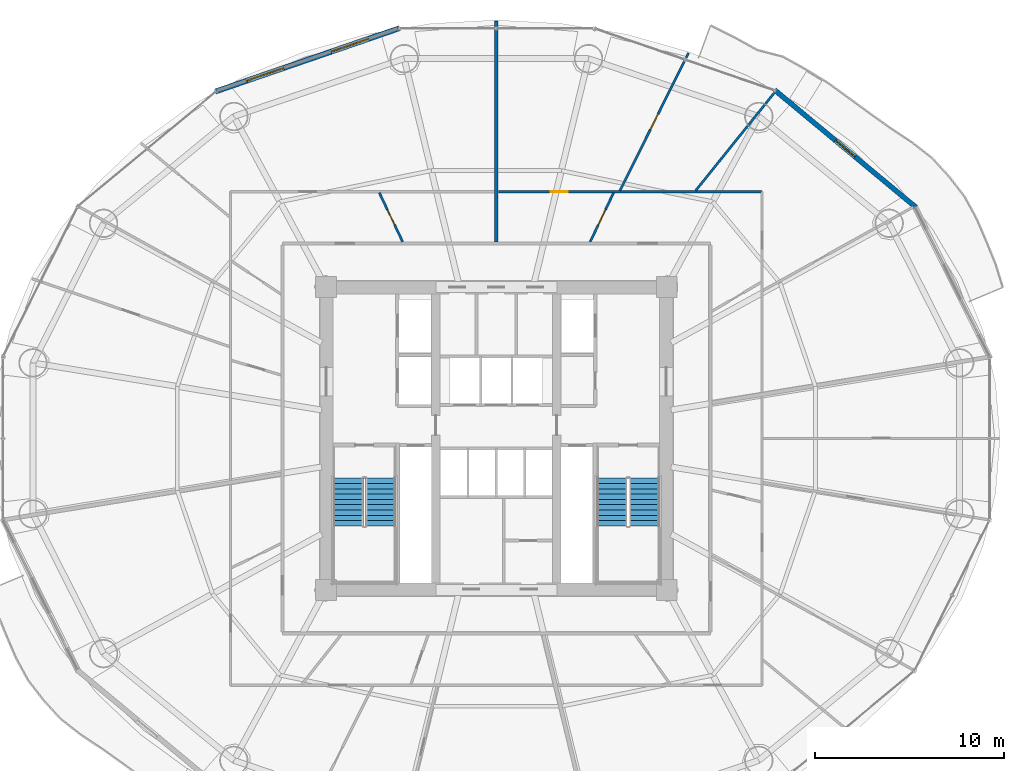
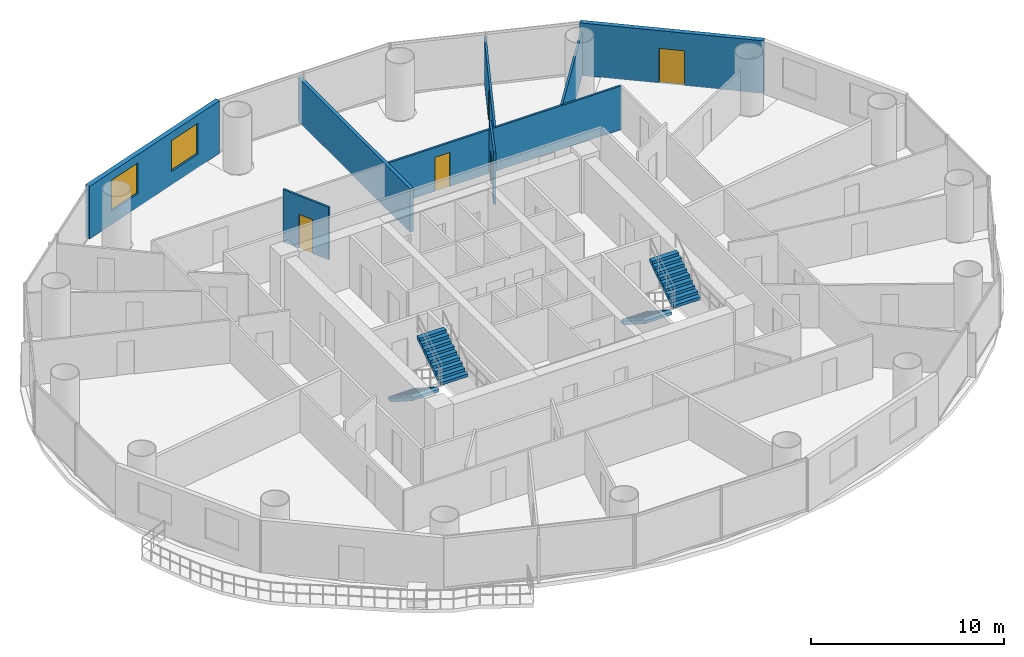
# One storey, part 25 of 29: 8 walls, 5 doors, 4 stair flights, 2 windows, 7 openings, 2 elements without a shape of their own.
"""IFC4 building model written with IfcOpenShell, lengths in metres."""

from ifc_helpers import new_model, si_unit, direction, frame, frame_2d, origin, place, context, subcontext, project, spatial, polyline, rectangle, outline, extrude, source, transform, mapped, material, layer, layer_set, type_object, element, fill, aggregate, save


model = new_model("IFC4")

# Units and contexts
model_context = context("Model", 3, precision=1e-05, world=origin(), true_north=direction((-0.2419218956, 0.970295726276)))
body_context = subcontext(model_context, "Body", "Model", "MODEL_VIEW")
ifc_project = project(units=[si_unit("LENGTHUNIT", "METRE"), si_unit("AREAUNIT", "SQUARE_METRE"), si_unit("VOLUMEUNIT", "CUBIC_METRE"), si_unit("PLANEANGLEUNIT", "RADIAN"), si_unit("MASSUNIT", "GRAM", prefix="KILO")], contexts=[model_context])

# Site, building, storey
site_placement = place(None, origin())
site = spatial("IfcSite", under=ifc_project, at=site_placement, CompositionType="ELEMENT")
building_placement = place(site_placement, origin())
building = spatial("IfcBuilding", under=site, at=building_placement, Name="Cobrevalo Terracotta Tower", CompositionType="ELEMENT")
storey_placement = place(building_placement, frame((0.0, 0.0, 79.800048828125)))
storey = spatial("IfcBuildingStorey", under=building, at=storey_placement, Name="L20", CompositionType="ELEMENT", Elevation=79.800048828125)

# Wall
ifc_material_1 = material(Name="Autoclaved aerated concrete block", Category="concrete")
ifc_layer_1 = layer(ifc_material_1, 0.199951171875)
ifc_layer_set_1 = layer_set([ifc_layer_1], Name="Autoclaved aerated concrete block")
wall_type_1 = type_object("IfcWallType", Name="Fire-rated stair, shaft & demising masonry wall 200 mm", PredefinedType="PARTITIONING", material=ifc_layer_set_1)
wall_1_placement = place(storey_placement, frame((38.0, 37.18505859375, 0.0), z_axis=(0.0, 0.0, 1.0), x_axis=(0.0, 1.0, 0.0)))
element("IfcWall", 1, at=wall_1_placement, inside=storey, type_object=wall_type_1, Name="L20 interior partition IW-L20-DEM-2", PredefinedType="PARTITIONING", context=body_context, shape_type="SweptSolid", body=[
    extrude(rectangle(XDim=11.655029296875, YDim=0.199951171875, at=frame_2d((5.82763671875, 0.0))), origin(), (0.0, 0.0, 1.0), 2.766845703125),
])

# Wall, openings, windows
ifc_layer_2 = layer(ifc_material_1, 0.280029296875)
ifc_layer_set_2 = layer_set([ifc_layer_2], Name="Autoclaved aerated concrete block")
wall_type_2 = type_object("IfcWallType", Name="Insulated tower spandrel & pier wall 280 mm with terracotta rainscreen", PredefinedType="SOLIDWALL", material=ifc_layer_set_2)
wall_2_placement = place(storey_placement, frame((32.89208984375, 48.471923828125, 0.0), z_axis=(0.0, 0.0, 1.0), x_axis=(-0.945597432299, -0.325339047809, 0.0)))
wall_2 = element("IfcWall", 2, at=wall_2_placement, inside=storey, type_object=wall_type_2, Name="L20 terracotta rainscreen pier wall S05", PredefinedType="SOLIDWALL", context=body_context, shape_type="SweptSolid", body=[
    extrude(rectangle(XDim=10.2890625, YDim=0.280029296875, at=frame_2d((5.14453125, 0.0))), origin(), (0.0, 0.0, 1.0), 3.324951171875),
])
opening_1_placement = place(wall_2_placement, frame((1.72802734375, 0.0, 0.85009765625)))
opening_1 = element("IfcOpeningElement", 3, at=opening_1_placement, cuts=wall_2, Name="Opening WN-10", PredefinedType="OPENING", context=body_context, shape_type="SweptSolid", body=[
    extrude(rectangle(XDim=2.10009765625, YDim=1.949951171875, at=frame_2d((1.050048828125, 0.97509765625))), frame((0.0, 0.14990234375, 0.0), z_axis=(0.0, -1.0, 0.0), x_axis=(1.0, 0.0, 0.0)), (0.0, 0.0, 1.0), 0.300048828125),
])
opening_2_placement = place(wall_2_placement, frame((6.4609375, 0.0, 0.85009765625)))
opening_2 = element("IfcOpeningElement", 4, at=opening_2_placement, cuts=wall_2, Name="Opening WN-10", PredefinedType="OPENING", context=body_context, shape_type="SweptSolid", body=[
    extrude(rectangle(XDim=2.10009765625, YDim=1.949951171875, at=frame_2d((1.050048828125, 0.97509765625))), frame((0.0, 0.14990234375, 0.0), z_axis=(0.0, -1.0, 0.0), x_axis=(1.0, 0.0, 0.0)), (0.0, 0.0, 1.0), 0.300048828125),
])
ifc_material_2 = material(Name="Solar-control low-E double glazing", Category="glass")
window_type = type_object("IfcWindowType", Name="Wide panoramic low-E aluminium window 2100x1950", PartitioningType="SINGLE_PANEL", PredefinedType="WINDOW", material=ifc_material_2)
shared_shape_1 = source(origin(), body_context, "Body", "SweptSolid", [
    extrude(rectangle(XDim=2.10009765625, YDim=1.949951171875, at=frame_2d((1.050048828125, 0.97509765625))), frame((0.0, 0.030029296875, 0.0), z_axis=(0.0, -1.0, 0.0), x_axis=(1.0, 0.0, 0.0)), (0.0, 0.0, 1.0), 0.06005859375),
])
window_1_placement = place(opening_1_placement, origin())
window_1 = element("IfcWindow", 5, at=window_1_placement, inside=storey, type_object=window_type, Name="L20 suite window S05A", OverallHeight=1.949951171875, OverallWidth=2.10009765625, PartitioningType="SINGLE_PANEL", PredefinedType="WINDOW", context=body_context, shape_type="MappedRepresentation", body=[
    mapped(shared_shape_1, transform((0.0, 0.0, 0.0), scale=1.0)),
])
fill(opening_1, window_1)
window_2_placement = place(opening_2_placement, origin())
window_2 = element("IfcWindow", 6, at=window_2_placement, inside=storey, type_object=window_type, Name="L20 suite window S05B", OverallHeight=1.949951171875, OverallWidth=2.10009765625, PartitioningType="SINGLE_PANEL", PredefinedType="WINDOW", context=body_context, shape_type="MappedRepresentation", body=[
    mapped(shared_shape_1, transform((0.0, 0.0, 0.0), scale=1.0)),
])
fill(opening_2, window_2)

# Wall, opening, door
ifc_layer_3 = layer(ifc_material_1, 0.260009765625)
ifc_layer_set_3 = layer_set([ifc_layer_3], Name="Autoclaved aerated concrete block")
wall_type_3 = type_object("IfcWallType", Name="Recessed balcony loggia insulated exterior wall 260 mm", PredefinedType="SOLIDWALL", material=ifc_layer_set_3)
wall_3_placement = place(storey_placement, frame((60.15380859375, 39.01025390625, 0.0), z_axis=(0.0, 0.0, 1.0), x_axis=(-0.769242574941, 0.638956853706, 0.0)))
wall_3 = element("IfcWall", 7, at=wall_3_placement, inside=storey, type_object=wall_type_3, Name="L20 balcony loggia wall S02", PredefinedType="SOLIDWALL", context=body_context, shape_type="SweptSolid", body=[
    extrude(rectangle(XDim=9.68994140625, YDim=0.260009765625, at=frame_2d((4.844970703125, 0.0))), origin(), (0.0, 0.0, 1.0), 3.324951171875),
])
opening_3_placement = place(wall_3_placement, frame((4.169921875, 0.0, 0.0)))
opening_3 = element("IfcOpeningElement", 8, at=opening_3_placement, cuts=wall_3, Name="Opening ED-05", PredefinedType="OPENING", context=body_context, shape_type="SweptSolid", body=[
    extrude(rectangle(XDim=1.35009765625, YDim=2.199951171875, at=frame_2d((0.675048828125, 1.10009765625))), frame((0.0, 0.14013671875, 0.0), z_axis=(0.0, -1.0, 0.0), x_axis=(1.0, 0.0, 0.0)), (0.0, 0.0, 1.0), 0.280029296875),
])
ifc_material_3 = material(Name="Anodized aluminium and laminated glass", Category="aluminium")
door_type_1 = type_object("IfcDoorType", Name="Suite balcony acoustic glazed terrace door 1350x2200", OperationType="NOTDEFINED", PredefinedType="DOOR", material=ifc_material_3)
shared_shape_2 = source(origin(), body_context, "Body", "SweptSolid", [
    extrude(rectangle(XDim=1.35009765625, YDim=2.199951171875, at=frame_2d((0.675048828125, 1.10009765625))), frame((0.0, 0.02490234375, 0.0), z_axis=(0.0, -1.0, 0.0), x_axis=(1.0, 0.0, 0.0)), (0.0, 0.0, 1.0), 0.050048828125),
])
door_1_placement = place(opening_3_placement, frame((1.35009765625, 0.0, 0.0), z_axis=(0.0, 0.0, 1.0), x_axis=(-1.0, 0.0, 0.0)))
door_1 = element("IfcDoor", 9, at=door_1_placement, inside=storey, type_object=door_type_1, Name="L20 glazed balcony terrace door 1", OperationType="SINGLE_SWING_LEFT", OverallHeight=2.199951171875, OverallWidth=1.35009765625, PredefinedType="DOOR", context=body_context, shape_type="MappedRepresentation", body=[
    mapped(shared_shape_2, transform((0.0, 0.0, 0.0), scale=1.0)),
])
fill(opening_3, door_1)

ifc_material_4 = material(Name="Gypsum board on steel stud", Category="steel")
ifc_layer_4 = layer(ifc_material_4, 0.1201171875)
ifc_layer_set_4 = layer_set([ifc_layer_4], Name="Gypsum board on steel stud")
wall_type_4 = type_object("IfcWallType", Name="Residential internal acoustic stud partition 120 mm", PredefinedType="PARTITIONING", material=ifc_layer_set_4)
wall_4_placement = place(storey_placement, frame((38.10205078125, 39.8349609375, 0.0), z_axis=(0.0, 0.0, 1.0), x_axis=(1.0, 0.0, 0.0)))
wall_4 = element("IfcWall", 10, at=wall_4_placement, inside=storey, type_object=wall_type_4, Name="L20 interior partition IW-L20-U1-RING0_0", PredefinedType="PARTITIONING", context=body_context, shape_type="SweptSolid", body=[
    extrude(rectangle(XDim=13.932861328125, YDim=0.1201171875, at=frame_2d((6.96630859375, 0.0))), origin(), (0.0, 0.0, 1.0), 2.766845703125),
])
opening_4_placement = place(wall_4_placement, frame((2.769287109375, 0.0, 0.0)))
opening_4 = element("IfcOpeningElement", 11, at=opening_4_placement, cuts=wall_4, Name="Opening ID-12", PredefinedType="OPENING", context=body_context, shape_type="SweptSolid", body=[
    extrude(rectangle(XDim=0.89990234375, YDim=2.14990234375, at=frame_2d((0.449951171875, 1.074951171875))), frame((0.0, 0.070068359375, 0.0), z_axis=(0.0, -1.0, 0.0), x_axis=(1.0, 0.0, 0.0)), (0.0, 0.0, 1.0), 0.14013671875),
])
ifc_material_5 = material(Name="Engineered timber", Category="wood")
door_type_2 = type_object("IfcDoorType", Name="Internal residence & suite timber door 900x2150", OperationType="NOTDEFINED", PredefinedType="DOOR", material=ifc_material_5)
shared_shape_3 = source(origin(), body_context, "Body", "SweptSolid", [
    extrude(rectangle(XDim=0.89990234375, YDim=2.14990234375, at=frame_2d((0.449951171875, 1.074951171875))), frame((0.0, 0.02490234375, 0.0), z_axis=(0.0, -1.0, 0.0), x_axis=(1.0, 0.0, 0.0)), (0.0, 0.0, 1.0), 0.050048828125),
])
door_2_placement = place(opening_4_placement, origin())
door_2 = element("IfcDoor", 12, at=door_2_placement, inside=storey, type_object=door_type_2, Name="Flat L20A Penthouse Family Lounge internal door", OperationType="SINGLE_SWING_LEFT", OverallHeight=2.14990234375, OverallWidth=0.89990234375, PredefinedType="DOOR", context=body_context, shape_type="MappedRepresentation", body=[
    mapped(shared_shape_3, transform((0.0, 0.0, 0.0), scale=1.0)),
])
fill(opening_4, door_2)

# Wall
wall_5_placement = place(storey_placement, frame((48.52197265625, 39.88330078125, 0.0), z_axis=(0.0, 0.0, 1.0), x_axis=(0.62672583251, 0.779239841682, 0.0)))
element("IfcWall", 13, at=wall_5_placement, inside=storey, type_object=wall_type_4, Name="L20 interior partition IW-L20-U1-ORAD2M1", PredefinedType="PARTITIONING", context=body_context, shape_type="SweptSolid", body=[
    extrude(rectangle(XDim=6.678466796875, YDim=0.1201171875, at=frame_2d((3.33935546875, 0.0))), origin(), (0.0, 0.0, 1.0), 2.766845703125),
])

# Wall, opening, door
wall_6_placement = place(storey_placement, frame((44.5263671875, 39.890380859375, 0.0), z_axis=(0.0, 0.0, 1.0), x_axis=(0.446167584581, 0.894949432353, 0.0)))
wall_6 = element("IfcWall", 14, at=wall_6_placement, inside=storey, type_object=wall_type_4, Name="L20 interior partition IW-L20-U1-ORAD2", PredefinedType="PARTITIONING", context=body_context, shape_type="SweptSolid", body=[
    extrude(rectangle(XDim=8.124755859375, YDim=0.1201171875, at=frame_2d((4.0625, 0.0))), origin(), (0.0, 0.0, 1.0), 2.766845703125),
])
opening_5_placement = place(wall_6_placement, frame((3.6123046875, 0.0, 0.0)))
opening_5 = element("IfcOpeningElement", 15, at=opening_5_placement, cuts=wall_6, Name="Opening ID-12", PredefinedType="OPENING", context=body_context, shape_type="SweptSolid", body=[
    extrude(rectangle(XDim=0.89990234375, YDim=2.14990234375, at=frame_2d((0.449951171875, 1.074951171875))), frame((0.0, 0.070068359375, 0.0), z_axis=(0.0, -1.0, 0.0), x_axis=(1.0, 0.0, 0.0)), (0.0, 0.0, 1.0), 0.14013671875),
])
door_3_placement = place(opening_5_placement, frame((0.89990234375, 0.0, 0.0), z_axis=(0.0, 0.0, 1.0), x_axis=(-1.0, 0.0, 0.0)))
door_3 = element("IfcDoor", 16, at=door_3_placement, inside=storey, type_object=door_type_2, Name="Flat L20A Principal Guest Bedroom internal door", OperationType="SINGLE_SWING_LEFT", OverallHeight=2.14990234375, OverallWidth=0.89990234375, PredefinedType="DOOR", context=body_context, shape_type="MappedRepresentation", body=[
    mapped(shared_shape_3, transform((0.0, 0.0, 0.0), scale=1.0)),
])
fill(opening_5, door_3)

wall_7_placement = place(storey_placement, frame((42.9560546875, 37.18505859375, 0.0), z_axis=(0.0, 0.0, 1.0), x_axis=(0.430728013923, 0.902481788194, 0.0)))
wall_7 = element("IfcWall", 17, at=wall_7_placement, inside=storey, type_object=wall_type_4, Name="L20 interior partition IW-L20-U1-IRAD2", PredefinedType="PARTITIONING", context=body_context, shape_type="SweptSolid", body=[
    extrude(rectangle(XDim=2.874267578125, YDim=0.1201171875, at=frame_2d((1.43701171875, 0.0))), origin(), (0.0, 0.0, 1.0), 3.324951171875),
])
opening_6_placement = place(wall_7_placement, frame((0.9873046875, 0.0, 0.0)))
opening_6 = element("IfcOpeningElement", 18, at=opening_6_placement, cuts=wall_7, Name="Opening ID-12", PredefinedType="OPENING", context=body_context, shape_type="SweptSolid", body=[
    extrude(rectangle(XDim=0.89990234375, YDim=2.14990234375, at=frame_2d((0.449951171875, 1.074951171875))), frame((0.0, 0.070068359375, 0.0), z_axis=(0.0, -1.0, 0.0), x_axis=(1.0, 0.0, 0.0)), (0.0, 0.0, 1.0), 0.14013671875),
])
door_4_placement = place(opening_6_placement, origin())
door_4 = element("IfcDoor", 19, at=door_4_placement, inside=storey, type_object=door_type_2, Name="Flat L20A Kitchen internal door", OperationType="SINGLE_SWING_RIGHT", OverallHeight=2.14990234375, OverallWidth=0.89990234375, PredefinedType="DOOR", context=body_context, shape_type="MappedRepresentation", body=[
    mapped(shared_shape_3, transform((0.0, 0.0, 0.0), scale=1.0)),
])
fill(opening_6, door_4)

wall_8_placement = place(storey_placement, frame((33.053466796875, 37.18505859375, 0.0), z_axis=(0.0, 0.0, 1.0), x_axis=(-0.429966564324, 0.902844811451, 0.0)))
wall_8 = element("IfcWall", 20, at=wall_8_placement, inside=storey, type_object=wall_type_4, Name="L20 interior partition IW-L20-U2-IRAD1", PredefinedType="PARTITIONING", context=body_context, shape_type="SweptSolid", body=[
    extrude(rectangle(XDim=2.873046875, YDim=0.1201171875, at=frame_2d((1.4365234375, 0.0))), origin(), (0.0, 0.0, 1.0), 3.324951171875),
])
opening_7_placement = place(wall_8_placement, frame((1.006591796875, 0.0, 0.0)))
opening_7 = element("IfcOpeningElement", 21, at=opening_7_placement, cuts=wall_8, Name="Opening ID-19", PredefinedType="OPENING", context=body_context, shape_type="SweptSolid", body=[
    extrude(rectangle(XDim=0.860107421875, YDim=2.14990234375, at=frame_2d((0.43017578125, 1.074951171875))), frame((0.0, 0.070068359375, 0.0), z_axis=(0.0, -1.0, 0.0), x_axis=(1.0, 0.0, 0.0)), (0.0, 0.0, 1.0), 0.14013671875),
])
ifc_material_6 = material(Name="Moisture-sealed timber", Category="wood")
door_type_3 = type_object("IfcDoorType", Name="Suite bathroom internal timber door 860x2150", OperationType="NOTDEFINED", PredefinedType="DOOR", material=ifc_material_6)
shared_shape_4 = source(origin(), body_context, "Body", "SweptSolid", [
    extrude(rectangle(XDim=0.860107421875, YDim=2.14990234375, at=frame_2d((0.43017578125, 1.074951171875))), frame((0.0, 0.02490234375, 0.0), z_axis=(0.0, -1.0, 0.0), x_axis=(1.0, 0.0, 0.0)), (0.0, 0.0, 1.0), 0.050048828125),
])
door_5_placement = place(opening_7_placement, frame((0.860107421875, 0.0, 0.0), z_axis=(0.0, 0.0, 1.0), x_axis=(-1.0, 0.0, 0.0)))
door_5 = element("IfcDoor", 22, at=door_5_placement, inside=storey, type_object=door_type_3, Name="Flat L20B Primary Bathroom internal door", OperationType="SINGLE_SWING_RIGHT", OverallHeight=2.14990234375, OverallWidth=0.860107421875, PredefinedType="DOOR", context=body_context, shape_type="MappedRepresentation", body=[
    mapped(shared_shape_4, transform((0.0, 0.0, 0.0), scale=1.0)),
])
fill(opening_7, door_5)

# Stair, stair flights
ifc_material_7 = material(Name="Concrete C50", Category="concrete")
stair_type = type_object("IfcStairType", Name="Core protected escape dogleg stair 1600", PredefinedType="HALF_TURN_STAIR", material=ifc_material_7)
stair_1_placement = place(storey_placement, origin())
stair_1 = element("IfcStair", 23, at=stair_1_placement, inside=storey, type_object=stair_type, Name="L20 Protected exit stair ST-1", PredefinedType="HALF_TURN_STAIR")
stair_flight_type = type_object("IfcStairFlightType", Name="Core protected escape dogleg stair 1600 flight", PredefinedType="STRAIGHT", material=ifc_material_7)
stair_flight_1_placement = place(storey_placement, frame((30.175048828125, 24.699951171875, 0.0), z_axis=(0.0, 0.0, 1.0), x_axis=(0.0, -1.0, 0.0)))
stair_flight_1 = element("IfcStairFlight", 24, at=stair_flight_1_placement, type_object=stair_flight_type, Name="ST-1 flight 1", NumberOfRisers=10, NumberOfTreads=9, PredefinedType="STRAIGHT", RiserHeight=0.18, TreadLength=0.28, context=body_context, shape_type="SweptSolid", body=[
    extrude(outline(polyline([(0.0, 0.0), (0.0, 0.179931640625), (0.280029296875, 0.179931640625), (0.280029296875, 0.360107421875), (0.56005859375, 0.360107421875), (0.56005859375, 0.5400390625), (0.840087890625, 0.5400390625), (0.840087890625, 0.719970703125), (1.1201171875, 0.719970703125), (1.1201171875, 0.89990234375), (1.39990234375, 0.89990234375), (1.39990234375, 1.080078125), (1.679931640625, 1.080078125), (1.679931640625, 1.260009765625), (1.9599609375, 1.260009765625), (1.9599609375, 1.43994140625), (2.239990234375, 1.43994140625), (2.239990234375, 1.6201171875), (2.52001953125, 1.6201171875), (2.52001953125, 1.800048828125), (2.52001953125, 1.429931640625), (0.295654296875, 0.0), (0.0, 0.0)])), frame((0.0, 0.800048828125, 0.0), z_axis=(0.0, -1.0, 0.0), x_axis=(1.0, 0.0, 0.0)), (0.0, 0.0, 1.0), 1.60009765625),
])
stair_flight_2_placement = place(storey_placement, frame((31.89501953125, 22.179931640625, 1.800048828125), z_axis=(0.0, 0.0, 1.0), x_axis=(0.0, 1.0, 0.0)))
stair_flight_2 = element("IfcStairFlight", 25, at=stair_flight_2_placement, type_object=stair_flight_type, Name="ST-1 flight 2", NumberOfRisers=10, NumberOfTreads=9, PredefinedType="STRAIGHT", RiserHeight=0.18, TreadLength=0.28, context=body_context, shape_type="SweptSolid", body=[
    extrude(outline(polyline([(0.0, 0.0), (0.0, 0.179931640625), (0.280029296875, 0.179931640625), (0.280029296875, 0.360107421875), (0.56005859375, 0.360107421875), (0.56005859375, 0.5400390625), (0.840087890625, 0.5400390625), (0.840087890625, 0.719970703125), (1.1201171875, 0.719970703125), (1.1201171875, 0.89990234375), (1.39990234375, 0.89990234375), (1.39990234375, 1.080078125), (1.679931640625, 1.080078125), (1.679931640625, 1.260009765625), (1.9599609375, 1.260009765625), (1.9599609375, 1.43994140625), (2.239990234375, 1.43994140625), (2.239990234375, 1.6201171875), (2.52001953125, 1.6201171875), (2.52001953125, 1.800048828125), (2.52001953125, 1.429931640625), (0.295654296875, 0.0), (0.0, 0.0)])), frame((0.0, 0.800048828125, 0.0), z_axis=(0.0, -1.0, 0.0), x_axis=(1.0, 0.0, 0.0)), (0.0, 0.0, 1.0), 1.60009765625),
])
aggregate(stair_1, [stair_flight_1, stair_flight_2])

stair_2_placement = place(storey_placement, origin())
stair_2 = element("IfcStair", 26, at=stair_2_placement, inside=storey, type_object=stair_type, Name="L20 Protected exit stair ST-2", PredefinedType="HALF_TURN_STAIR")
stair_flight_3_placement = place(storey_placement, frame((44.10498046875, 24.699951171875, 0.0), z_axis=(0.0, 0.0, 1.0), x_axis=(0.0, -1.0, 0.0)))
stair_flight_3 = element("IfcStairFlight", 27, at=stair_flight_3_placement, type_object=stair_flight_type, Name="ST-2 flight 1", NumberOfRisers=10, NumberOfTreads=9, PredefinedType="STRAIGHT", RiserHeight=0.18, TreadLength=0.28, context=body_context, shape_type="SweptSolid", body=[
    extrude(outline(polyline([(0.0, 0.0), (0.0, 0.179931640625), (0.280029296875, 0.179931640625), (0.280029296875, 0.360107421875), (0.56005859375, 0.360107421875), (0.56005859375, 0.5400390625), (0.840087890625, 0.5400390625), (0.840087890625, 0.719970703125), (1.1201171875, 0.719970703125), (1.1201171875, 0.89990234375), (1.39990234375, 0.89990234375), (1.39990234375, 1.080078125), (1.679931640625, 1.080078125), (1.679931640625, 1.260009765625), (1.9599609375, 1.260009765625), (1.9599609375, 1.43994140625), (2.239990234375, 1.43994140625), (2.239990234375, 1.6201171875), (2.52001953125, 1.6201171875), (2.52001953125, 1.800048828125), (2.52001953125, 1.429931640625), (0.295654296875, 0.0), (0.0, 0.0)])), frame((0.0, 0.800048828125, 0.0), z_axis=(0.0, -1.0, 0.0), x_axis=(1.0, 0.0, 0.0)), (0.0, 0.0, 1.0), 1.60009765625),
])
stair_flight_4_placement = place(storey_placement, frame((45.824951171875, 22.179931640625, 1.800048828125), z_axis=(0.0, 0.0, 1.0), x_axis=(0.0, 1.0, 0.0)))
stair_flight_4 = element("IfcStairFlight", 28, at=stair_flight_4_placement, type_object=stair_flight_type, Name="ST-2 flight 2", NumberOfRisers=10, NumberOfTreads=9, PredefinedType="STRAIGHT", RiserHeight=0.18, TreadLength=0.28, context=body_context, shape_type="SweptSolid", body=[
    extrude(outline(polyline([(0.0, 0.0), (0.0, 0.179931640625), (0.280029296875, 0.179931640625), (0.280029296875, 0.360107421875), (0.56005859375, 0.360107421875), (0.56005859375, 0.5400390625), (0.840087890625, 0.5400390625), (0.840087890625, 0.719970703125), (1.1201171875, 0.719970703125), (1.1201171875, 0.89990234375), (1.39990234375, 0.89990234375), (1.39990234375, 1.080078125), (1.679931640625, 1.080078125), (1.679931640625, 1.260009765625), (1.9599609375, 1.260009765625), (1.9599609375, 1.43994140625), (2.239990234375, 1.43994140625), (2.239990234375, 1.6201171875), (2.52001953125, 1.6201171875), (2.52001953125, 1.800048828125), (2.52001953125, 1.429931640625), (0.295654296875, 0.0), (0.0, 0.0)])), frame((0.0, 0.800048828125, 0.0), z_axis=(0.0, -1.0, 0.0), x_axis=(1.0, 0.0, 0.0)), (0.0, 0.0, 1.0), 1.60009765625),
])
aggregate(stair_2, [stair_flight_3, stair_flight_4])

save(model, "model.ifc")
